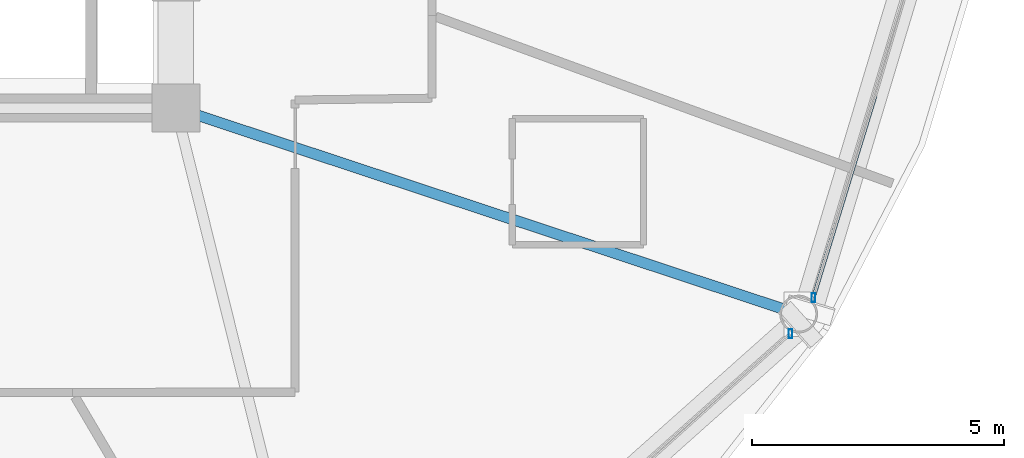
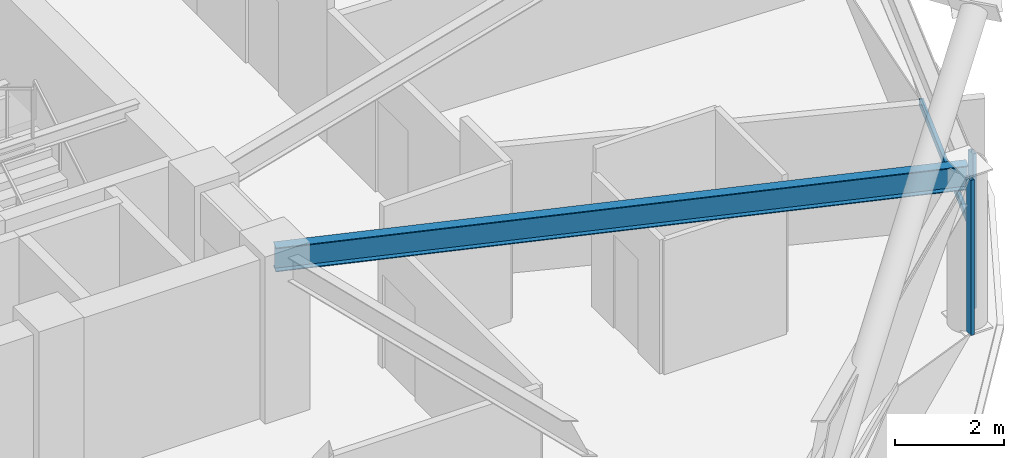
# One storey, part 10 of 30: 3 members, 1 beam, 2 elements without a shape of their own.
"""IFC4 building model written with IfcOpenShell, lengths in metres."""

from ifc_helpers import new_model, si_unit, direction, frame, origin, origin_2d, place, context, subcontext, project, spatial, hollow_rectangle, i_section, extrude, material, layer, layer_set, material_profile, profile_set, type_object, element, aggregate, save


model = new_model("IFC4")

# Units and contexts
model_context = context("Model", 3, precision=1e-05, world=origin(), true_north=direction((0.0, 1.0)))
body_context = subcontext(model_context, "Body", "Model", "MODEL_VIEW")
ifc_project = project(units=[si_unit("LENGTHUNIT", "METRE"), si_unit("AREAUNIT", "SQUARE_METRE"), si_unit("VOLUMEUNIT", "CUBIC_METRE"), si_unit("PLANEANGLEUNIT", "RADIAN"), si_unit("MASSUNIT", "GRAM", prefix="KILO")], contexts=[model_context])

# Site, building, storey
site_placement = place(None, origin())
site = spatial("IfcSite", under=ifc_project, at=site_placement, CompositionType="ELEMENT")
building_placement = place(site_placement, origin())
building = spatial("IfcBuilding", under=site, at=building_placement, Name="Vantalir Tower", CompositionType="ELEMENT")
storey_placement = place(building_placement, frame((0.0, 0.0, 119.699951171875)))
storey = spatial("IfcBuildingStorey", under=building, at=storey_placement, Name="L29", CompositionType="ELEMENT", Elevation=119.699951171875)

# Beam
ifc_material_1 = material(Name="Steel S355", Category="steel")
ifc_material_profile_1 = material_profile(ifc_material_1, i_section(OverallWidth=0.2109375, OverallDepth=0.5390625, WebThickness=0.01171875, FlangeThickness=0.018798828125, at=origin_2d()), Name="Steel S355")
ifc_profile_set_1 = profile_set([ifc_material_profile_1], Name="Steel S355")
beam_type = type_object("IfcBeamType", Name="BM-RB-533x210", PredefinedType="BEAM", material=ifc_profile_set_1)
beam_placement = place(storey_placement, frame((53.445068359375, 13.717041015625, 3.300048828125), z_axis=(-0.949418619953, 0.314013190944, 0.0), x_axis=(-0.314013190944, -0.949418619953, 0.0)))
element("IfcBeam", 1, at=beam_placement, inside=storey, type_object=beam_type, Name="L29 Radial Floor Beam 12", PredefinedType="BEAM", context=body_context, shape_type="SweptSolid", body=[
    extrude(i_section(OverallWidth=0.2109375, OverallDepth=0.5390625, WebThickness=0.01171875, FlangeThickness=0.018798828125, at=origin_2d()), origin(), (0.0, 0.0, 1.0), 13.002685546875),
])

# Curtain wall, member
ifc_material_2 = material(Name="Champagne-silver PVDF aluminium and double-silver Low-E glass", Category="aluminium")
ifc_layer = layer(ifc_material_2, 0.199951171875)
ifc_layer_set = layer_set([ifc_layer], Name="Champagne-silver PVDF aluminium and double-silver Low-E glass")
curtain_wall_type = type_object("IfcCurtainWallType", Name="CW-DIAMOND-Z2", PredefinedType="USERDEFINED", material=ifc_layer_set)
curtain_wall_1_placement = place(storey_placement, origin())
curtain_wall_1 = element("IfcCurtainWall", 2, at=curtain_wall_1_placement, inside=storey, type_object=curtain_wall_type, Name="L29 Quilted Pyramid-Diamond Curtain Wall S11", ObjectType="UNITISED CURTAIN WALL", PredefinedType="USERDEFINED")
ifc_material_3 = material(Name="Champagne-silver PVDF aluminium 6063-T6", Category="aluminium")
ifc_material_profile_2 = material_profile(ifc_material_3, hollow_rectangle(XDim=0.074951171875, YDim=0.179931640625, WallThickness=0.00390625, at=origin_2d()), Name="Champagne-silver PVDF aluminium 6063-T6")
ifc_profile_set_2 = profile_set([ifc_material_profile_2], Name="Champagne-silver PVDF aluminium 6063-T6")
member_type_1 = type_object("IfcMemberType", Name="CWM-180x75", PredefinedType="MULLION", material=ifc_profile_set_2)
member_1_placement = place(storey_placement, frame((53.281982421875, 13.3291015625, 0.045166015625), z_axis=(0.0, 0.0, 1.0), x_axis=(1.0, 0.0, 0.0)))
member_1 = element("IfcMember", 3, at=member_1_placement, type_object=member_type_1, Name="CW-L29-S11 Mullion 2", PredefinedType="MULLION", context=body_context, shape_type="SweptSolid", body=[
    extrude(hollow_rectangle(XDim=0.074951171875, YDim=0.179931640625, WallThickness=0.00390625, at=origin_2d()), origin(), (0.0, 0.0, 1.0), 3.47998046875),
])
aggregate(curtain_wall_1, [member_1])

# Curtain wall, members
curtain_wall_2_placement = place(storey_placement, origin())
curtain_wall_2 = element("IfcCurtainWall", 4, at=curtain_wall_2_placement, inside=storey, type_object=curtain_wall_type, Name="L29 Quilted Pyramid-Diamond Curtain Wall S12", ObjectType="UNITISED CURTAIN WALL", PredefinedType="USERDEFINED")
member_2_placement = place(storey_placement, frame((53.737060546875, 14.04296875, 0.045166015625), z_axis=(0.0, 0.0, 1.0), x_axis=(1.0, 0.0, 0.0)))
member_2 = element("IfcMember", 5, at=member_2_placement, type_object=member_type_1, Name="CW-L29-S12 Mullion 1", PredefinedType="MULLION", context=body_context, shape_type="SweptSolid", body=[
    extrude(hollow_rectangle(XDim=0.074951171875, YDim=0.179931640625, WallThickness=0.00390625, at=origin_2d()), origin(), (0.0, 0.0, 1.0), 3.47998046875),
])
ifc_material_profile_3 = material_profile(ifc_material_3, hollow_rectangle(XDim=0.074951171875, YDim=0.159912109375, WallThickness=0.00390625, at=origin_2d()), Name="Champagne-silver PVDF aluminium 6063-T6")
ifc_profile_set_3 = profile_set([ifc_material_profile_3], Name="Champagne-silver PVDF aluminium 6063-T6")
member_type_2 = type_object("IfcMemberType", Name="CWT-160x75", PredefinedType="USERDEFINED", material=ifc_profile_set_3)
member_3_placement = place(storey_placement, frame((53.737060546875, 14.04296875, 1.78515625), z_axis=(0.293203479006, 0.956050061398, 0.0), x_axis=(-0.956050061398, 0.293203479006, 0.0)))
member_3 = element("IfcMember", 6, at=member_3_placement, type_object=member_type_2, Name="CW-L29-S12 Pyramid Fold Ridge Transom", ObjectType="TRANSOM", PredefinedType="USERDEFINED", context=body_context, shape_type="SweptSolid", body=[
    extrude(hollow_rectangle(XDim=0.074951171875, YDim=0.159912109375, WallThickness=0.00390625, at=origin_2d()), origin(), (0.0, 0.0, 1.0), 4.180908203125),
])
aggregate(curtain_wall_2, [member_2, member_3])

save(model, "model.ifc")
